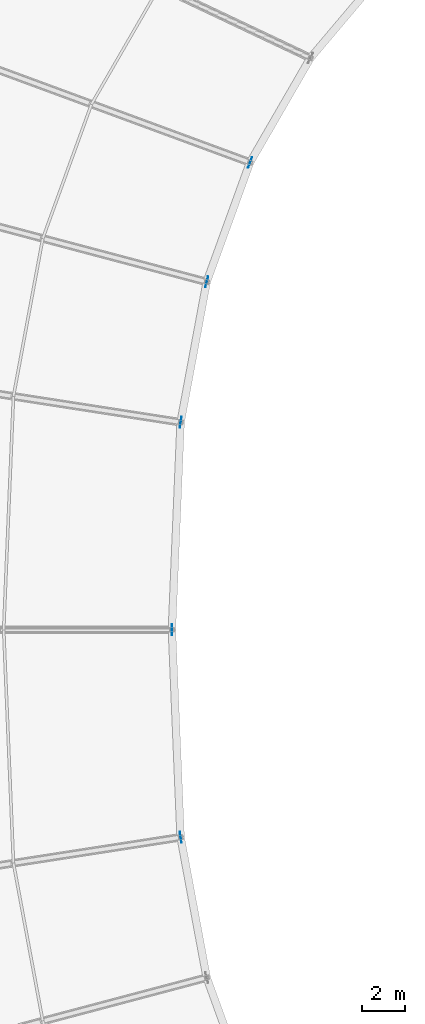
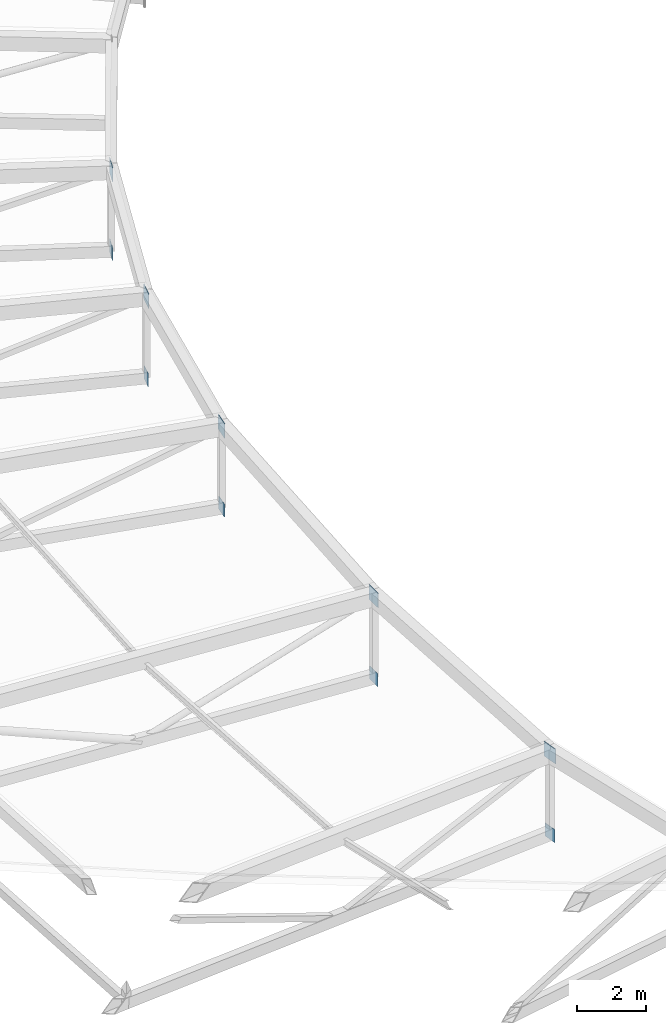
# One storey, part 116 of 143: 10 plates.
"""IFC4 building model written with IfcOpenShell, lengths in metres."""

from ifc_helpers import new_model, si_unit, direction, frame, origin, origin_2d, place, context, subcontext, project, spatial, rectangle, extrude, material, layer, layer_set, type_object, element, save


model = new_model("IFC4")

# Units and contexts
model_context = context("Model", 3, precision=1e-05, world=origin(), true_north=direction((0.0, 1.0)))
body_context = subcontext(model_context, "Body", "Model", "MODEL_VIEW")
ifc_project = project(units=[si_unit("LENGTHUNIT", "METRE"), si_unit("AREAUNIT", "SQUARE_METRE"), si_unit("VOLUMEUNIT", "CUBIC_METRE"), si_unit("PLANEANGLEUNIT", "RADIAN"), si_unit("MASSUNIT", "GRAM", prefix="KILO")], contexts=[model_context])

# Site, building, storey
site_placement = place(None, origin())
site = spatial("IfcSite", under=ifc_project, at=site_placement, CompositionType="ELEMENT")
building_placement = place(site_placement, origin())
building = spatial("IfcBuilding", under=site, at=building_placement, Name="Mphavela Belvedere Stadium", CompositionType="ELEMENT")
storey_placement = place(building_placement, frame((0.0, 0.0, 28.800048828125)))
storey = spatial("IfcBuildingStorey", under=building, at=storey_placement, Name="RF", CompositionType="ELEMENT", Elevation=28.800048828125)

# Plates
ifc_material_1 = material(Name="Steel S355", Category="steel")
ifc_layer_1 = layer(ifc_material_1, 0.01806640625)
ifc_layer_set_1 = layer_set([ifc_layer_1], Name="Steel S355")
plate_type_1 = type_object("IfcPlateType", Name="PLT-CAP-TRUSS-BC", PredefinedType="USERDEFINED", material=ifc_layer_set_1)
for number, where, z_axis, x_axis, name in (
    (1, (56.52099609375, 108.5439453125, -0.732177734375), (0.0, 0.0, 1.0), (-0.938372433776, 0.34562577382, 0.0), "Roof truss RT-22 hollow-end cap plate in_bc"),
    (2, (54.523193359375, 103.03759765625, -1.192626953125), (0.0, 0.0, 1.0), (-0.966600102017, 0.256289373133, 0.0), "Roof truss RT-23 hollow-end cap plate in_bc"),
    (3, (53.3212890625, 96.56689453125, -1.482177734375), (0.0, 0.0, 1.0), (-0.98817491911, 0.153330783737, 0.0), "Roof truss RT-24 hollow-end cap plate in_bc"),
    (4, (52.919921875, 87.0, -1.5810546875), (0.0, 0.0, 1.0), (-1.0, 0.0, 0.0), "Roof truss RT-25 hollow-end cap plate in_bc"),
    (5, (53.3212890625, 77.43310546875, -1.482177734375), (0.0, 0.0, 1.0), (-0.98817491911, -0.153330783737, 0.0), "Roof truss RT-26 hollow-end cap plate in_bc"),
):
    element("IfcPlate", number, at=place(storey_placement, frame(where, z_axis=z_axis, x_axis=x_axis)), inside=storey, type_object=plate_type_1, Name=name, ObjectType="GUSSET_PLATE", PredefinedType="USERDEFINED", context=body_context, shape_type="SweptSolid", body=[
        extrude(rectangle(XDim=0.01806640625, YDim=0.4599609375, at=origin_2d()), origin(), (0.0, 0.0, 1.0), 0.4599609375),
    ])
ifc_material_2 = material(Name="Steel S355", Category="steel")
ifc_layer_2 = layer(ifc_material_2, 0.02001953125)
ifc_layer_set_2 = layer_set([ifc_layer_2], Name="Steel S355")
plate_type_2 = type_object("IfcPlateType", Name="PLT-CAP-TRUSS-TC", PredefinedType="USERDEFINED", material=ifc_layer_set_2)
for number, where, z_axis, x_axis, name in (
    (6, (56.52099609375, 108.5439453125, 2.087646484375), (0.0, 0.0, 1.0), (-0.938372433776, 0.34562577382, 0.0), "Roof truss RT-22 hollow-end cap plate in_tc"),
    (7, (54.523193359375, 103.03759765625, 1.627197265625), (0.0, 0.0, 1.0), (-0.966600102017, 0.256289373133, 0.0), "Roof truss RT-23 hollow-end cap plate in_tc"),
    (8, (53.3212890625, 96.56689453125, 1.337646484375), (0.0, 0.0, 1.0), (-0.98817491911, 0.153330783737, 0.0), "Roof truss RT-24 hollow-end cap plate in_tc"),
    (9, (52.919921875, 87.0, 1.239013671875), (0.0, 0.0, 1.0), (-1.0, 0.0, 0.0), "Roof truss RT-25 hollow-end cap plate in_tc"),
    (10, (53.3212890625, 77.43310546875, 1.337646484375), (0.0, 0.0, 1.0), (-0.98817491911, -0.153330783737, 0.0), "Roof truss RT-26 hollow-end cap plate in_tc"),
):
    element("IfcPlate", number, at=place(storey_placement, frame(where, z_axis=z_axis, x_axis=x_axis)), inside=storey, type_object=plate_type_2, Name=name, ObjectType="GUSSET_PLATE", PredefinedType="USERDEFINED", context=body_context, shape_type="SweptSolid", body=[
        extrude(rectangle(XDim=0.02001953125, YDim=0.52001953125, at=origin_2d()), origin(), (0.0, 0.0, 1.0), 0.52001953125),
    ])

save(model, "model.ifc")
